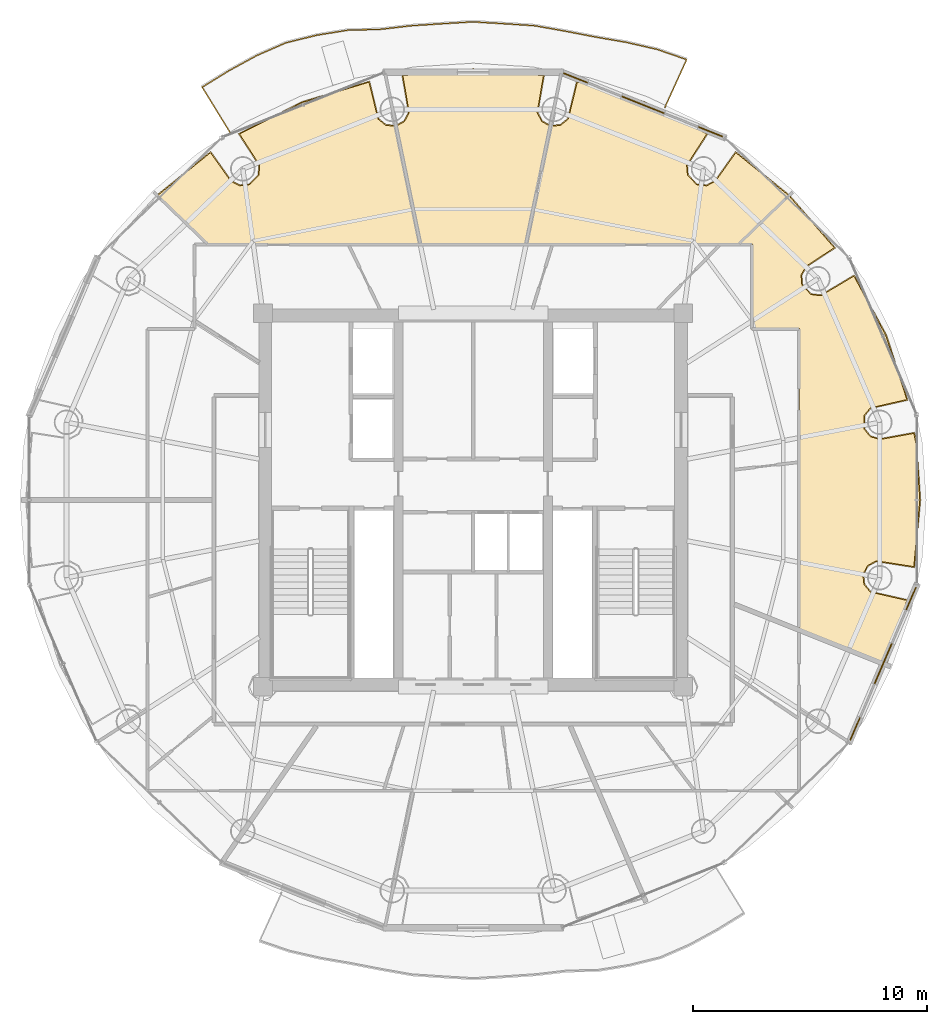
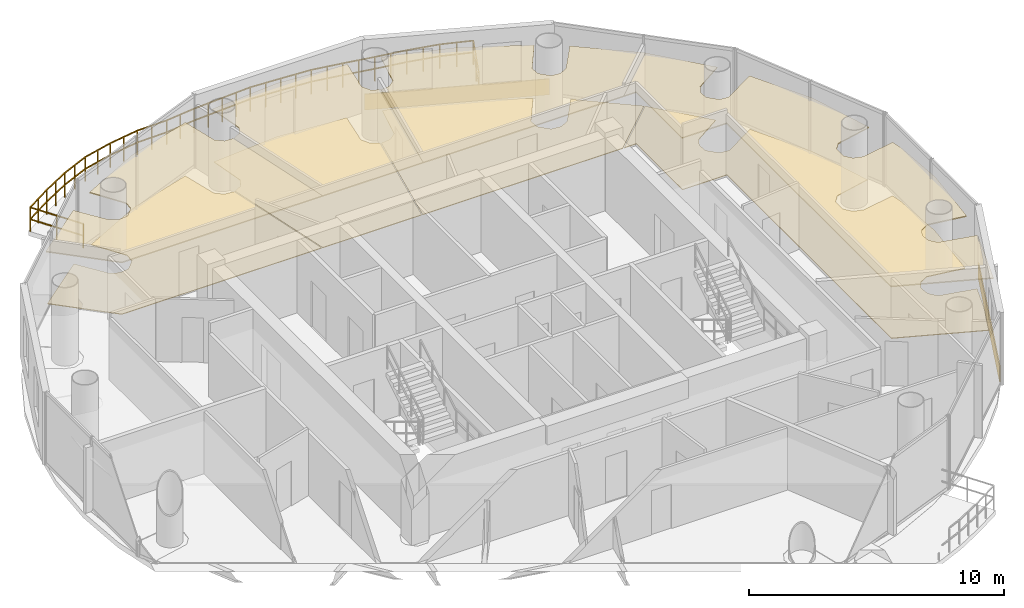
# One storey, part 24 of 24: 10 coverings, 1 railing.
"""IFC4 building model written with IfcOpenShell, lengths in metres."""

from ifc_helpers import new_model, si_unit, direction, frame, origin, origin_2d, place, context, subcontext, project, spatial, polyline, rectangle, outline, extrude, source, transform, mapped, material, layer, layer_set, type_object, element, save


model = new_model("IFC4")

# Units and contexts
model_context = context("Model", 3, precision=1e-05, world=origin(), true_north=direction((-0.2419218956, 0.970295726276)))
body_context = subcontext(model_context, "Body", "Model", "MODEL_VIEW")
ifc_project = project(units=[si_unit("LENGTHUNIT", "METRE"), si_unit("AREAUNIT", "SQUARE_METRE"), si_unit("VOLUMEUNIT", "CUBIC_METRE"), si_unit("PLANEANGLEUNIT", "RADIAN"), si_unit("MASSUNIT", "GRAM", prefix="KILO")], contexts=[model_context])

# Site, building, storey
site_placement = place(None, origin())
site = spatial("IfcSite", under=ifc_project, at=site_placement, CompositionType="ELEMENT")
building_placement = place(site_placement, origin())
building = spatial("IfcBuilding", under=site, at=building_placement, Name="Cobrevalo Terracotta Tower", CompositionType="ELEMENT")
storey_placement = place(building_placement, frame((0.0, 0.0, 274.449951171875)))
storey = spatial("IfcBuildingStorey", under=building, at=storey_placement, Name="L72", CompositionType="ELEMENT", Elevation=274.449951171875)

# Railing
ifc_material_1 = material(Name="Laminated structural glass and stainless steel", Category="steel")
railing_type = type_object("IfcRailingType", Name="Balcony lobe structural glass & terracotta-cap balustrade 1180 mm", PredefinedType="BALUSTRADE", material=ifc_material_1)
railing_placement = place(storey_placement, frame((46.208251953125, 43.604248046875, 0.0)))
element("IfcRailing", 1, at=railing_placement, inside=storey, type_object=railing_type, Name="L72 spiralling balcony lobe balustrade 1", PredefinedType="BALUSTRADE", context=body_context, shape_type="SweptSolid", body=[
    extrude(rectangle(XDim=0.048095703125, YDim=0.048095703125, at=origin_2d()), frame((0.0, 0.0, 1.15576171875), z_axis=(0.413435488263, 0.91053341347, 0.0), x_axis=(-0.91053341347, 0.413435488263, 0.0)), (0.0, 0.0, 1.0), 2.2529296875),
    extrude(rectangle(XDim=0.048095703125, YDim=0.048095703125, at=origin_2d()), frame((0.0, 0.0, 0.58984375), z_axis=(0.413435488263, 0.91053341347, 0.0), x_axis=(-0.91053341347, 0.413435488263, 0.0)), (0.0, 0.0, 1.0), 2.2529296875),
    extrude(rectangle(XDim=0.048095703125, YDim=0.048095703125, at=origin_2d()), frame((0.931396484375, 2.05126953125, 1.15576171875), z_axis=(-0.945455970993, 0.325749914679, 0.0), x_axis=(-0.325749914679, -0.945455970993, 0.0)), (0.0, 0.0, 1.0), 1.34375),
    extrude(rectangle(XDim=0.048095703125, YDim=0.048095703125, at=origin_2d()), frame((0.931396484375, 2.05126953125, 0.58984375), z_axis=(-0.945455970993, 0.325749914679, 0.0), x_axis=(-0.325749914679, -0.945455970993, 0.0)), (0.0, 0.0, 1.0), 1.34375),
    extrude(rectangle(XDim=0.048095703125, YDim=0.048095703125, at=origin_2d()), frame((-0.339111328125, 2.489013671875, 1.15576171875), z_axis=(-0.974890009947, 0.222686929355, 0.0), x_axis=(-0.222686929355, -0.974890009947, 0.0)), (0.0, 0.0, 1.0), 1.34619140625),
    extrude(rectangle(XDim=0.048095703125, YDim=0.048095703125, at=origin_2d()), frame((-0.339111328125, 2.489013671875, 0.58984375), z_axis=(-0.974890009947, 0.222686929355, 0.0), x_axis=(-0.222686929355, -0.974890009947, 0.0)), (0.0, 0.0, 1.0), 1.34619140625),
    extrude(rectangle(XDim=0.048095703125, YDim=0.048095703125, at=origin_2d()), frame((-1.651611328125, 2.788818359375, 1.15576171875), z_axis=(-0.985403050198, 0.170237565362, 0.0), x_axis=(-0.170237565362, -0.985403050198, 0.0)), (0.0, 0.0, 1.0), 1.335205078125),
    extrude(rectangle(XDim=0.048095703125, YDim=0.048095703125, at=origin_2d()), frame((-1.651611328125, 2.788818359375, 0.58984375), z_axis=(-0.985403050198, 0.170237565362, 0.0), x_axis=(-0.170237565362, -0.985403050198, 0.0)), (0.0, 0.0, 1.0), 1.335205078125),
    extrude(rectangle(XDim=0.048095703125, YDim=0.048095703125, at=origin_2d()), frame((-2.96728515625, 3.01611328125, 1.15576171875), z_axis=(-0.98177874351, 0.19002762639, 0.0), x_axis=(-0.19002762639, -0.98177874351, 0.0)), (0.0, 0.0, 1.0), 1.3271484375),
    extrude(rectangle(XDim=0.048095703125, YDim=0.048095703125, at=origin_2d()), frame((-2.96728515625, 3.01611328125, 0.58984375), z_axis=(-0.98177874351, 0.19002762639, 0.0), x_axis=(-0.19002762639, -0.98177874351, 0.0)), (0.0, 0.0, 1.0), 1.3271484375),
    extrude(rectangle(XDim=0.048095703125, YDim=0.048095703125, at=origin_2d()), frame((-4.270263671875, 3.268310546875, 1.15576171875), z_axis=(-0.984618157919, 0.174720013438, 0.0), x_axis=(-0.174720013438, -0.984618157919, 0.0)), (0.0, 0.0, 1.0), 1.326171875),
    extrude(rectangle(XDim=0.048095703125, YDim=0.048095703125, at=origin_2d()), frame((-4.270263671875, 3.268310546875, 0.58984375), z_axis=(-0.984618157919, 0.174720013438, 0.0), x_axis=(-0.174720013438, -0.984618157919, 0.0)), (0.0, 0.0, 1.0), 1.326171875),
    extrude(rectangle(XDim=0.048095703125, YDim=0.048095703125, at=origin_2d()), frame((-5.575927734375, 3.5, 1.15576171875), z_axis=(-0.997868933348, 0.065250224966, 0.0), x_axis=(-0.065250224966, -0.997868933348, 0.0)), (0.0, 0.0, 1.0), 1.328369140625),
    extrude(rectangle(XDim=0.048095703125, YDim=0.048095703125, at=origin_2d()), frame((-5.575927734375, 3.5, 0.58984375), z_axis=(-0.997868933348, 0.065250224966, 0.0), x_axis=(-0.065250224966, -0.997868933348, 0.0)), (0.0, 0.0, 1.0), 1.328369140625),
    extrude(rectangle(XDim=0.048095703125, YDim=0.048095703125, at=origin_2d()), frame((-6.9013671875, 3.586669921875, 1.15576171875), z_axis=(-0.99827817547, 0.058657347205, 0.0), x_axis=(-0.058657347205, -0.99827817547, 0.0)), (0.0, 0.0, 1.0), 1.32763671875),
    extrude(rectangle(XDim=0.048095703125, YDim=0.048095703125, at=origin_2d()), frame((-6.9013671875, 3.586669921875, 0.58984375), z_axis=(-0.99827817547, 0.058657347205, 0.0), x_axis=(-0.058657347205, -0.99827817547, 0.0)), (0.0, 0.0, 1.0), 1.32763671875),
    extrude(rectangle(XDim=0.048095703125, YDim=0.048095703125, at=origin_2d()), frame((-8.226806640625, 3.66455078125, 1.15576171875), z_axis=(-0.998169505595, -0.060478410192, 0.0), x_axis=(0.060478410192, -0.998169505595, 0.0)), (0.0, 0.0, 1.0), 1.328125),
    extrude(rectangle(XDim=0.048095703125, YDim=0.048095703125, at=origin_2d()), frame((-8.226806640625, 3.66455078125, 0.58984375), z_axis=(-0.998169505595, -0.060478410192, 0.0), x_axis=(0.060478410192, -0.998169505595, 0.0)), (0.0, 0.0, 1.0), 1.328125),
    extrude(rectangle(XDim=0.048095703125, YDim=0.048095703125, at=origin_2d()), frame((-9.552490234375, 3.584228515625, 1.15576171875), z_axis=(-0.997868933348, -0.065250224966, 0.0), x_axis=(0.065250224966, -0.997868933348, 0.0)), (0.0, 0.0, 1.0), 1.328369140625),
    extrude(rectangle(XDim=0.048095703125, YDim=0.048095703125, at=origin_2d()), frame((-9.552490234375, 3.584228515625, 0.58984375), z_axis=(-0.997868933348, -0.065250224966, 0.0), x_axis=(0.065250224966, -0.997868933348, 0.0)), (0.0, 0.0, 1.0), 1.328369140625),
    extrude(rectangle(XDim=0.048095703125, YDim=0.048095703125, at=origin_2d()), frame((-10.8779296875, 3.49755859375, 1.15576171875), z_axis=(-0.993174406059, -0.116638754919, 0.0), x_axis=(0.116638754919, -0.993174406059, 0.0)), (0.0, 0.0, 1.0), 1.3291015625),
    extrude(rectangle(XDim=0.048095703125, YDim=0.048095703125, at=origin_2d()), frame((-10.8779296875, 3.49755859375, 0.58984375), z_axis=(-0.993174406059, -0.116638754919, 0.0), x_axis=(0.116638754919, -0.993174406059, 0.0)), (0.0, 0.0, 1.0), 1.3291015625),
    extrude(rectangle(XDim=0.048095703125, YDim=0.048095703125, at=origin_2d()), frame((-12.197998046875, 3.342529296875, 1.15576171875), z_axis=(-0.999733166523, -0.02309969165, 0.0), x_axis=(0.02309969165, -0.999733166523, 0.0)), (0.0, 0.0, 1.0), 1.36328125),
    extrude(rectangle(XDim=0.048095703125, YDim=0.048095703125, at=origin_2d()), frame((-12.197998046875, 3.342529296875, 0.58984375), z_axis=(-0.999733166523, -0.02309969165, 0.0), x_axis=(0.02309969165, -0.999733166523, 0.0)), (0.0, 0.0, 1.0), 1.36328125),
    extrude(rectangle(XDim=0.048095703125, YDim=0.048095703125, at=origin_2d()), frame((-13.56103515625, 3.31103515625, 1.15576171875), z_axis=(-0.987212821804, -0.159407792987, 0.0), x_axis=(0.159407792987, -0.987212821804, 0.0)), (0.0, 0.0, 1.0), 1.35693359375),
    extrude(rectangle(XDim=0.048095703125, YDim=0.048095703125, at=origin_2d()), frame((-13.56103515625, 3.31103515625, 0.58984375), z_axis=(-0.987212821804, -0.159407792987, 0.0), x_axis=(0.159407792987, -0.987212821804, 0.0)), (0.0, 0.0, 1.0), 1.35693359375),
    extrude(rectangle(XDim=0.048095703125, YDim=0.048095703125, at=origin_2d()), frame((-14.900634765625, 3.0947265625, 1.15576171875), z_axis=(-0.970812580486, -0.239839391197, 0.0), x_axis=(0.239839391197, -0.970812580486, 0.0)), (0.0, 0.0, 1.0), 1.364013671875),
    extrude(rectangle(XDim=0.048095703125, YDim=0.048095703125, at=origin_2d()), frame((-14.900634765625, 3.0947265625, 0.58984375), z_axis=(-0.970812580486, -0.239839391197, 0.0), x_axis=(0.239839391197, -0.970812580486, 0.0)), (0.0, 0.0, 1.0), 1.364013671875),
    extrude(rectangle(XDim=0.048095703125, YDim=0.048095703125, at=origin_2d()), frame((-16.224853515625, 2.767578125, 1.15576171875), z_axis=(-0.916783806594, -0.399383840392, 0.0), x_axis=(0.399383840392, -0.916783806594, 0.0)), (0.0, 0.0, 1.0), 1.357177734375),
    extrude(rectangle(XDim=0.048095703125, YDim=0.048095703125, at=origin_2d()), frame((-16.224853515625, 2.767578125, 0.58984375), z_axis=(-0.916783806594, -0.399383840392, 0.0), x_axis=(0.399383840392, -0.916783806594, 0.0)), (0.0, 0.0, 1.0), 1.357177734375),
    extrude(rectangle(XDim=0.048095703125, YDim=0.048095703125, at=origin_2d()), frame((-17.468994140625, 2.2255859375, 1.15576171875), z_axis=(-0.877613577385, -0.479368760757, 0.0), x_axis=(0.479368760757, -0.877613577385, 0.0)), (0.0, 0.0, 1.0), 1.357177734375),
    extrude(rectangle(XDim=0.048095703125, YDim=0.048095703125, at=origin_2d()), frame((-17.468994140625, 2.2255859375, 0.58984375), z_axis=(-0.877613577385, -0.479368760757, 0.0), x_axis=(0.479368760757, -0.877613577385, 0.0)), (0.0, 0.0, 1.0), 1.357177734375),
    extrude(rectangle(XDim=0.048095703125, YDim=0.048095703125, at=origin_2d()), frame((-18.66015625, 1.574951171875, 1.15576171875), z_axis=(-0.851658316705, -0.524097425664, 0.0), x_axis=(0.524097425664, -0.851658316705, 0.0)), (0.0, 0.0, 1.0), 1.34912109375),
    extrude(rectangle(XDim=0.048095703125, YDim=0.048095703125, at=origin_2d()), frame((-18.66015625, 1.574951171875, 0.58984375), z_axis=(-0.851658316705, -0.524097425664, 0.0), x_axis=(0.524097425664, -0.851658316705, 0.0)), (0.0, 0.0, 1.0), 1.34912109375),
    extrude(rectangle(XDim=0.048095703125, YDim=0.048095703125, at=origin_2d()), frame((-19.80908203125, 0.867919921875, 1.15576171875), z_axis=(0.52396477303, -0.851739934853, 0.0), x_axis=(0.851739934853, 0.52396477303, 0.0)), (0.0, 0.0, 1.0), 2.36181640625),
    extrude(rectangle(XDim=0.048095703125, YDim=0.048095703125, at=origin_2d()), frame((-19.80908203125, 0.867919921875, 0.58984375), z_axis=(0.52396477303, -0.851739934853, 0.0), x_axis=(0.851739934853, 0.52396477303, 0.0)), (0.0, 0.0, 1.0), 2.36181640625),
    extrude(rectangle(XDim=0.0419921875, YDim=0.0419921875, at=origin_2d()), origin(), (0.0, 0.0, 1.0), 1.1318359375),
    extrude(rectangle(XDim=0.0419921875, YDim=0.0419921875, at=origin_2d()), frame((0.4658203125, 1.025634765625, 0.0)), (0.0, 0.0, 1.0), 1.1318359375),
    extrude(rectangle(XDim=0.0419921875, YDim=0.0419921875, at=origin_2d()), frame((0.931396484375, 2.05126953125, 0.0)), (0.0, 0.0, 1.0), 1.1318359375),
    extrude(rectangle(XDim=0.0419921875, YDim=0.0419921875, at=origin_2d()), frame((0.296142578125, 2.27001953125, 0.0)), (0.0, 0.0, 1.0), 1.1318359375),
    extrude(rectangle(XDim=0.0419921875, YDim=0.0419921875, at=origin_2d()), frame((-0.339111328125, 2.489013671875, 0.0)), (0.0, 0.0, 1.0), 1.1318359375),
    extrude(rectangle(XDim=0.0419921875, YDim=0.0419921875, at=origin_2d()), frame((-0.995361328125, 2.638916015625, 0.0)), (0.0, 0.0, 1.0), 1.1318359375),
    extrude(rectangle(XDim=0.0419921875, YDim=0.0419921875, at=origin_2d()), frame((-1.651611328125, 2.788818359375, 0.0)), (0.0, 0.0, 1.0), 1.1318359375),
    extrude(rectangle(XDim=0.0419921875, YDim=0.0419921875, at=origin_2d()), frame((-2.3095703125, 2.90234375, 0.0)), (0.0, 0.0, 1.0), 1.1318359375),
    extrude(rectangle(XDim=0.0419921875, YDim=0.0419921875, at=origin_2d()), frame((-2.96728515625, 3.01611328125, 0.0)), (0.0, 0.0, 1.0), 1.1318359375),
    extrude(rectangle(XDim=0.0419921875, YDim=0.0419921875, at=origin_2d()), frame((-3.61865234375, 3.14208984375, 0.0)), (0.0, 0.0, 1.0), 1.1318359375),
    extrude(rectangle(XDim=0.0419921875, YDim=0.0419921875, at=origin_2d()), frame((-4.270263671875, 3.268310546875, 0.0)), (0.0, 0.0, 1.0), 1.1318359375),
    extrude(rectangle(XDim=0.0419921875, YDim=0.0419921875, at=origin_2d()), frame((-4.923095703125, 3.38427734375, 0.0)), (0.0, 0.0, 1.0), 1.1318359375),
    extrude(rectangle(XDim=0.0419921875, YDim=0.0419921875, at=origin_2d()), frame((-5.575927734375, 3.5, 0.0)), (0.0, 0.0, 1.0), 1.1318359375),
    extrude(rectangle(XDim=0.0419921875, YDim=0.0419921875, at=origin_2d()), frame((-6.23876953125, 3.54345703125, 0.0)), (0.0, 0.0, 1.0), 1.1318359375),
    extrude(rectangle(XDim=0.0419921875, YDim=0.0419921875, at=origin_2d()), frame((-6.9013671875, 3.586669921875, 0.0)), (0.0, 0.0, 1.0), 1.1318359375),
    extrude(rectangle(XDim=0.0419921875, YDim=0.0419921875, at=origin_2d()), frame((-7.56396484375, 3.62548828125, 0.0)), (0.0, 0.0, 1.0), 1.1318359375),
    extrude(rectangle(XDim=0.0419921875, YDim=0.0419921875, at=origin_2d()), frame((-8.226806640625, 3.66455078125, 0.0)), (0.0, 0.0, 1.0), 1.1318359375),
    extrude(rectangle(XDim=0.0419921875, YDim=0.0419921875, at=origin_2d()), frame((-8.8896484375, 3.62451171875, 0.0)), (0.0, 0.0, 1.0), 1.1318359375),
    extrude(rectangle(XDim=0.0419921875, YDim=0.0419921875, at=origin_2d()), frame((-9.552490234375, 3.584228515625, 0.0)), (0.0, 0.0, 1.0), 1.1318359375),
    extrude(rectangle(XDim=0.0419921875, YDim=0.0419921875, at=origin_2d()), frame((-10.21533203125, 3.541015625, 0.0)), (0.0, 0.0, 1.0), 1.1318359375),
    extrude(rectangle(XDim=0.0419921875, YDim=0.0419921875, at=origin_2d()), frame((-10.8779296875, 3.49755859375, 0.0)), (0.0, 0.0, 1.0), 1.1318359375),
    extrude(rectangle(XDim=0.0419921875, YDim=0.0419921875, at=origin_2d()), frame((-11.5380859375, 3.419921875, 0.0)), (0.0, 0.0, 1.0), 1.1318359375),
    extrude(rectangle(XDim=0.0419921875, YDim=0.0419921875, at=origin_2d()), frame((-12.197998046875, 3.342529296875, 0.0)), (0.0, 0.0, 1.0), 1.1318359375),
    extrude(rectangle(XDim=0.0419921875, YDim=0.0419921875, at=origin_2d()), frame((-12.87939453125, 3.32666015625, 0.0)), (0.0, 0.0, 1.0), 1.1318359375),
    extrude(rectangle(XDim=0.0419921875, YDim=0.0419921875, at=origin_2d()), frame((-13.56103515625, 3.31103515625, 0.0)), (0.0, 0.0, 1.0), 1.1318359375),
    extrude(rectangle(XDim=0.0419921875, YDim=0.0419921875, at=origin_2d()), frame((-14.23095703125, 3.202880859375, 0.0)), (0.0, 0.0, 1.0), 1.1318359375),
    extrude(rectangle(XDim=0.0419921875, YDim=0.0419921875, at=origin_2d()), frame((-14.900634765625, 3.0947265625, 0.0)), (0.0, 0.0, 1.0), 1.1318359375),
    extrude(rectangle(XDim=0.0419921875, YDim=0.0419921875, at=origin_2d()), frame((-15.562744140625, 2.93115234375, 0.0)), (0.0, 0.0, 1.0), 1.1318359375),
    extrude(rectangle(XDim=0.0419921875, YDim=0.0419921875, at=origin_2d()), frame((-16.224853515625, 2.767578125, 0.0)), (0.0, 0.0, 1.0), 1.1318359375),
    extrude(rectangle(XDim=0.0419921875, YDim=0.0419921875, at=origin_2d()), frame((-16.846923828125, 2.49658203125, 0.0)), (0.0, 0.0, 1.0), 1.1318359375),
    extrude(rectangle(XDim=0.0419921875, YDim=0.0419921875, at=origin_2d()), frame((-17.468994140625, 2.2255859375, 0.0)), (0.0, 0.0, 1.0), 1.1318359375),
    extrude(rectangle(XDim=0.0419921875, YDim=0.0419921875, at=origin_2d()), frame((-18.064453125, 1.900390625, 0.0)), (0.0, 0.0, 1.0), 1.1318359375),
    extrude(rectangle(XDim=0.0419921875, YDim=0.0419921875, at=origin_2d()), frame((-18.66015625, 1.574951171875, 0.0)), (0.0, 0.0, 1.0), 1.1318359375),
    extrude(rectangle(XDim=0.0419921875, YDim=0.0419921875, at=origin_2d()), frame((-19.234619140625, 1.221435546875, 0.0)), (0.0, 0.0, 1.0), 1.1318359375),
    extrude(rectangle(XDim=0.0419921875, YDim=0.0419921875, at=origin_2d()), frame((-19.80908203125, 0.867919921875, 0.0)), (0.0, 0.0, 1.0), 1.1318359375),
    extrude(rectangle(XDim=0.0419921875, YDim=0.0419921875, at=origin_2d()), frame((-19.1904296875, -0.137939453125, 0.0)), (0.0, 0.0, 1.0), 1.1318359375),
    extrude(rectangle(XDim=0.0419921875, YDim=0.0419921875, at=origin_2d()), frame((-18.571533203125, -1.143798828125, 0.0)), (0.0, 0.0, 1.0), 1.1318359375),
])

# Coverings
ifc_material_2 = material(Name="Engineered Brazilian hardwood flooring", Category="wood")
ifc_layer_1 = layer(ifc_material_2, 0.028076171875)
ifc_layer_set_1 = layer_set([ifc_layer_1], Name="Engineered Brazilian hardwood flooring")
covering_type_1 = type_object("IfcCoveringType", Name="Engineered Hardwood Suite Flooring 28", PredefinedType="FLOORING", material=ifc_layer_set_1)
covering_1_placement = place(storey_placement, origin())
element("IfcCovering", 2, at=covering_1_placement, inside=storey, type_object=covering_type_1, Name="Flat L72A Living and Dining Room floor finish", PredefinedType="FLOORING", context=body_context, shape_type="SweptSolid", body=[
    extrude(outline(polyline([(51.52978515625, 39.81396484375), (53.4560546875, 37.599365234375), (52.2451171875, 36.805419921875), (52.035400390625, 36.43017578125), (52.06982421875, 36.001953125), (52.462890625, 35.593994140625), (52.8896484375, 35.5439453125), (54.300048828125, 36.382568359375), (55.66455078125, 33.848876953125), (56.56494140625, 31.1005859375), (55.00244140625, 30.74462890625), (54.727294921875, 30.41455078125), (54.72314453125, 29.84814453125), (54.9931640625, 29.51416015625), (55.4033203125, 29.38623046875), (56.8642578125, 29.65087890625), (56.956298828125, 29.2041015625), (57.119873046875, 26.800048828125), (56.8642578125, 23.948974609375), (55.259033203125, 24.198486328125), (54.881591796875, 23.9931640625), (54.681884765625, 23.612548828125), (54.727294921875, 23.185302734375), (55.00244140625, 22.855224609375), (56.56494140625, 22.49951171875), (55.669921875, 19.766357421875), (51.965087890625, 21.245849609375), (51.965087890625, 34.139892578125), (49.955078125, 34.139892578125), (49.955078125, 37.7548828125), (49.393798828125, 37.7548828125), (51.52978515625, 39.81396484375)])), origin(), (0.0, 0.0, 1.0), 0.030029296875),
])
covering_2_placement = place(storey_placement, origin())
element("IfcCovering", 3, at=covering_2_placement, inside=storey, type_object=covering_type_1, Name="Flat L72A Master Bedroom floor finish", PredefinedType="FLOORING", context=body_context, shape_type="SweptSolid", body=[
    extrude(outline(polyline([(41.321533203125, 42.796630859375), (41.74072265625, 42.83642578125), (42.074951171875, 43.1064453125), (42.45947265625, 44.68603515625), (42.94873046875, 44.59228515625), (45.317138671875, 43.817626953125), (47.99853515625, 42.4697265625), (47.138427734375, 41.134521484375), (47.17236328125, 40.706298828125), (47.5654296875, 40.29833984375), (47.9921875, 40.248046875), (48.374755859375, 40.443603515625), (49.243896484375, 41.668212890625), (51.50048828125, 39.841064453125), (49.336181640625, 37.7548828125), (40.281005859375, 37.7548828125), (41.321533203125, 42.796630859375)])), origin(), (0.0, 0.0, 1.0), 0.030029296875),
])
covering_3_placement = place(storey_placement, origin())
element("IfcCovering", 4, at=covering_3_placement, inside=storey, type_object=covering_type_1, Name="Flat L72A Principal Guest Bedroom floor finish", PredefinedType="FLOORING", context=body_context, shape_type="SweptSolid", body=[
    extrude(outline(polyline([(34.71728515625, 42.80712890625), (35.064453125, 43.003173828125), (35.26416015625, 43.3837890625), (34.994140625, 44.964599609375), (38.0, 45.219970703125), (41.005859375, 44.964599609375), (40.73583984375, 43.3837890625), (40.935546875, 43.003173828125), (41.28271484375, 42.80712890625), (40.240234375, 37.7548828125), (35.759765625, 37.7548828125), (34.71728515625, 42.80712890625)])), origin(), (0.0, 0.0, 1.0), 0.030029296875),
])
covering_4_placement = place(storey_placement, origin())
element("IfcCovering", 5, at=covering_4_placement, inside=storey, type_object=covering_type_1, Name="Flat L72A Penthouse Family Lounge floor finish", PredefinedType="FLOORING", context=body_context, shape_type="SweptSolid", body=[
    extrude(outline(polyline([(24.49951171875, 39.841064453125), (26.756103515625, 41.668212890625), (27.625244140625, 40.443603515625), (28.0078125, 40.248046875), (28.4345703125, 40.29833984375), (28.82763671875, 40.706298828125), (28.861572265625, 41.134521484375), (28.00146484375, 42.4697265625), (30.682861328125, 43.817626953125), (33.54052734375, 44.68603515625), (33.925048828125, 43.1064453125), (34.25927734375, 42.83642578125), (34.678466796875, 42.796630859375), (35.718994140625, 37.7548828125), (26.663818359375, 37.7548828125), (24.49951171875, 39.841064453125)])), origin(), (0.0, 0.0, 1.0), 0.030029296875),
])
ifc_material_3 = material(Name="Acoustic perforated gypsum ceiling", Category="gypsum")
ifc_layer_2 = layer(ifc_material_3, 0.050048828125)
ifc_layer_set_2 = layer_set([ifc_layer_2], Name="Acoustic perforated gypsum ceiling")
covering_type_2 = type_object("IfcCoveringType", Name="Perforated Acoustic Gypsum Ceiling 50", PredefinedType="CEILING", material=ifc_layer_set_2)
covering_5_placement = place(storey_placement, frame((0.0, 0.0, 2.5)))
element("IfcCovering", 6, at=covering_5_placement, inside=storey, type_object=covering_type_2, Name="Flat L72A Living and Dining Room acoustic ceiling", PredefinedType="CEILING", context=body_context, shape_type="SweptSolid", body=[
    extrude(outline(polyline([(51.531982421875, 39.87841796875), (53.51953125, 37.586669921875), (52.2763671875, 36.772705078125), (52.07958984375, 36.420654296875), (52.11181640625, 36.0185546875), (52.48095703125, 35.635498046875), (52.881591796875, 35.588623046875), (54.312255859375, 36.44384765625), (55.7060546875, 33.86669921875), (56.6181640625, 31.06494140625), (55.02734375, 30.70703125), (54.76904296875, 30.39697265625), (54.764892578125, 29.865234375), (55.0185546875, 29.551513671875), (55.40380859375, 29.431396484375), (56.899169921875, 29.703369140625), (57.0009765625, 29.210205078125), (57.1650390625, 26.800048828125), (56.899169921875, 23.896484375), (55.268310546875, 24.154296875), (54.913818359375, 23.96142578125), (54.726318359375, 23.60400390625), (54.76904296875, 23.202880859375), (55.02734375, 22.89306640625), (56.6181640625, 22.53515625), (55.69677734375, 19.707275390625), (51.919921875, 21.21533203125), (51.919921875, 34.094970703125), (49.909912109375, 34.094970703125), (49.909912109375, 37.7099609375), (49.282470703125, 37.7099609375), (51.531982421875, 39.87841796875)])), origin(), (0.0, 0.0, 1.0), 0.050048828125),
])
covering_6_placement = place(storey_placement, frame((0.0, 0.0, 2.5)))
element("IfcCovering", 7, at=covering_6_placement, inside=storey, type_object=covering_type_2, Name="Flat L72A Master Bedroom acoustic ceiling", PredefinedType="CEILING", context=body_context, shape_type="SweptSolid", body=[
    extrude(outline(polyline([(41.28564453125, 42.845703125), (41.7236328125, 42.87841796875), (42.03759765625, 43.1318359375), (42.424560546875, 44.738525390625), (42.9599609375, 44.635986328125), (45.333740234375, 43.859619140625), (48.062255859375, 42.482421875), (47.1826171875, 41.124755859375), (47.214599609375, 40.72265625), (47.58349609375, 40.339599609375), (47.984130859375, 40.292724609375), (48.343505859375, 40.47607421875), (49.231689453125, 41.7294921875), (51.567626953125, 39.84326171875), (49.3544921875, 37.7099609375), (40.225830078125, 37.7099609375), (41.28564453125, 42.845703125)])), origin(), (0.0, 0.0, 1.0), 0.050048828125),
])
covering_7_placement = place(storey_placement, frame((0.0, 0.0, 2.5)))
element("IfcCovering", 8, at=covering_7_placement, inside=storey, type_object=covering_type_2, Name="Flat L72A Principal Guest Bedroom acoustic ceiling", PredefinedType="CEILING", context=body_context, shape_type="SweptSolid", body=[
    extrude(outline(polyline([(34.6650390625, 42.837890625), (35.0322265625, 43.034912109375), (35.2197265625, 43.39208984375), (34.94091796875, 45.000244140625), (38.0, 45.26513671875), (41.05908203125, 45.000244140625), (40.7802734375, 43.39208984375), (40.9677734375, 43.034912109375), (41.3349609375, 42.837890625), (40.27685546875, 37.7099609375), (35.72314453125, 37.7099609375), (34.6650390625, 42.837890625)])), origin(), (0.0, 0.0, 1.0), 0.050048828125),
])
covering_8_placement = place(storey_placement, frame((0.0, 0.0, 2.5)))
element("IfcCovering", 9, at=covering_8_placement, inside=storey, type_object=covering_type_2, Name="Flat L72A Penthouse Family Lounge acoustic ceiling", PredefinedType="CEILING", context=body_context, shape_type="SweptSolid", body=[
    extrude(outline(polyline([(24.432373046875, 39.84326171875), (26.768310546875, 41.7294921875), (27.656494140625, 40.47607421875), (28.015869140625, 40.292724609375), (28.41650390625, 40.339599609375), (28.785400390625, 40.72265625), (28.8173828125, 41.124755859375), (27.937744140625, 42.482421875), (30.666259765625, 43.859619140625), (33.575439453125, 44.738525390625), (33.96240234375, 43.1318359375), (34.2763671875, 42.87841796875), (34.71435546875, 42.845703125), (35.774169921875, 37.7099609375), (26.6455078125, 37.7099609375), (24.432373046875, 39.84326171875)])), origin(), (0.0, 0.0, 1.0), 0.050048828125),
])
ifc_material_4 = material(Name="Glazed terracotta facade cladding tile", Category="masonry")
ifc_layer_3 = layer(ifc_material_4, 0.044921875)
ifc_layer_set_3 = layer_set([ifc_layer_3], Name="Glazed terracotta facade cladding tile")
covering_type_3 = type_object("IfcCoveringType", Name="Architectural terracotta rainscreen spandrel cladding 45 mm", PredefinedType="CLADDING", material=ifc_layer_set_3)
shared_shape_1 = source(origin(), body_context, "Body", "SweptSolid", [
    extrude(rectangle(XDim=7.125244140625, YDim=0.044921875, at=origin_2d()), origin(), (0.0, 0.0, 1.0), 0.760009765625),
])
covering_9_placement = place(storey_placement, frame((55.5517578125, 19.79248046875, 0.0400390625), z_axis=(0.0, 0.0, 1.0), x_axis=(0.394828845134, 0.918754691444, 0.0)))
element("IfcCovering", 10, at=covering_9_placement, inside=storey, type_object=covering_type_3, Name="L72 terracotta spandrel cladding S15", PredefinedType="CLADDING", context=body_context, shape_type="MappedRepresentation", body=[
    mapped(shared_shape_1, transform((0.0, 0.0, 0.0), scale=1.0)),
])
shared_shape_2 = source(origin(), body_context, "Body", "SweptSolid", [
    extrude(rectangle(XDim=7.318359375, YDim=0.044921875, at=origin_2d()), origin(), (0.0, 0.0, 1.0), 0.760009765625),
])
covering_10_placement = place(storey_placement, frame((45.270263671875, 43.71728515625, 0.0400390625), z_axis=(0.0, 0.0, 1.0), x_axis=(-0.92871833374, 0.370785998353, 0.0)))
element("IfcCovering", 11, at=covering_10_placement, inside=storey, type_object=covering_type_3, Name="L72 terracotta spandrel cladding S03", PredefinedType="CLADDING", context=body_context, shape_type="MappedRepresentation", body=[
    mapped(shared_shape_2, transform((0.0, 0.0, 0.0), scale=1.0)),
])

save(model, "model.ifc")
